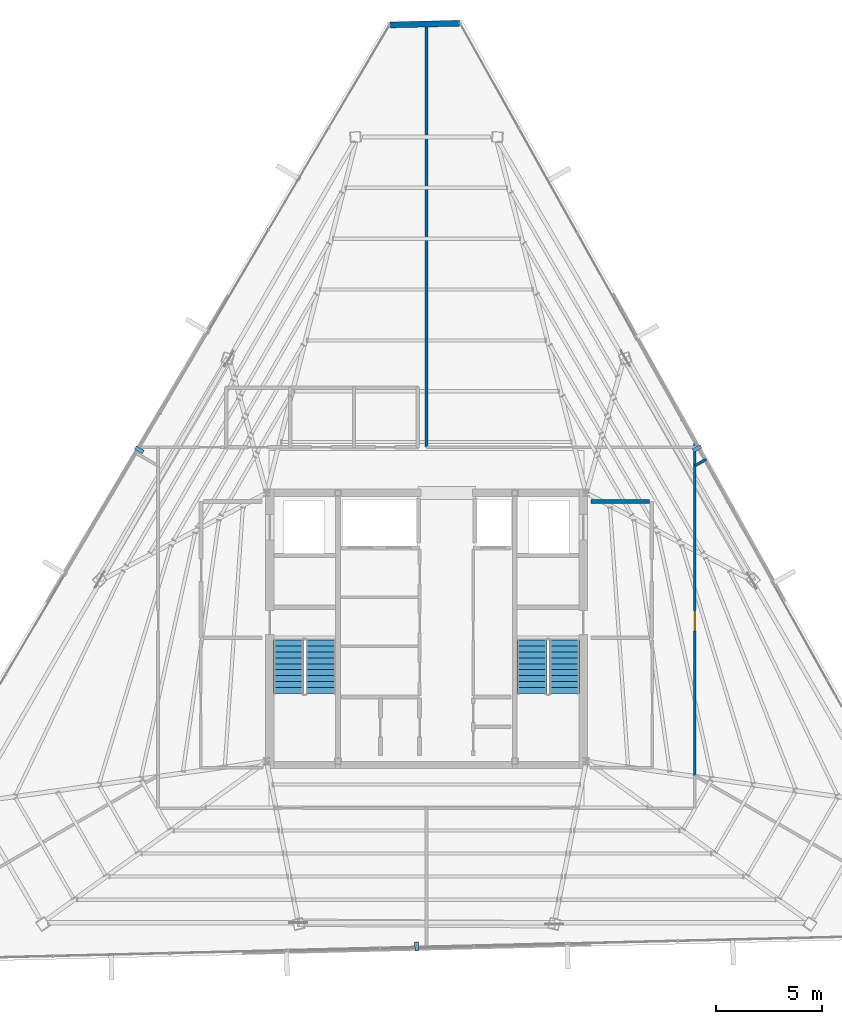
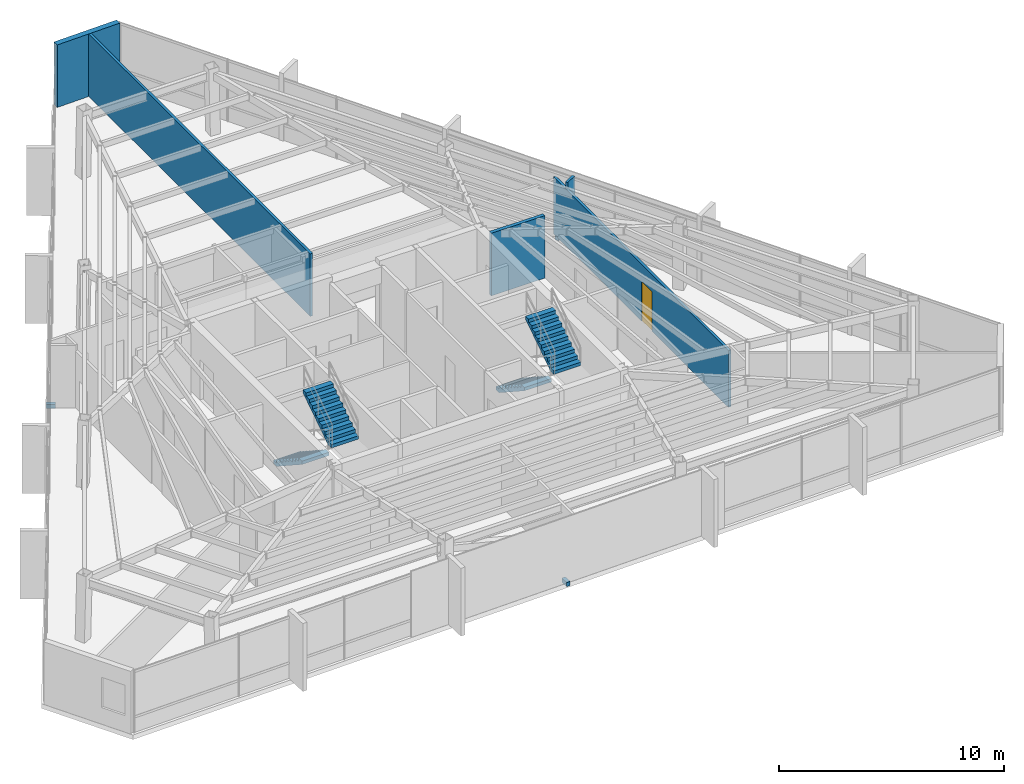
# One storey, part 46 of 48: 5 walls, 4 stair flights, 3 discrete accessories, 1 door, 1 opening, 2 elements without a shape of their own.
"""IFC4 building model written with IfcOpenShell, lengths in metres."""

from ifc_helpers import new_model, si_unit, direction, frame, frame_2d, origin, origin_2d, place, context, subcontext, project, spatial, polyline, rectangle, outline, extrude, source, transform, mapped, material, layer, layer_set, type_object, type_shapes, element, fill, aggregate, save


model = new_model("IFC4")

# Units and contexts
model_context = context("Model", 3, precision=1e-05, world=origin(), true_north=direction((0.0, 1.0)))
body_context = subcontext(model_context, "Body", "Model", "MODEL_VIEW")
ifc_project = project(units=[si_unit("LENGTHUNIT", "METRE"), si_unit("AREAUNIT", "SQUARE_METRE"), si_unit("VOLUMEUNIT", "CUBIC_METRE"), si_unit("PLANEANGLEUNIT", "RADIAN"), si_unit("MASSUNIT", "GRAM", prefix="KILO")], contexts=[model_context])

# Site, building, storey
site_placement = place(None, origin())
site = spatial("IfcSite", under=ifc_project, at=site_placement, CompositionType="ELEMENT")
building_placement = place(site_placement, origin())
building = spatial("IfcBuilding", under=site, at=building_placement, Name="Caelisora Broadcast Tower", CompositionType="ELEMENT")
storey_placement = place(building_placement, frame((0.0, 0.0, 277.300048828125)))
storey = spatial("IfcBuildingStorey", under=building, at=storey_placement, Name="L73", CompositionType="ELEMENT", Elevation=277.300048828125)

# Walls
ifc_material_1 = material(Name="Insulated Terracotta Spandrel Wall System", Category="masonry")
ifc_layer_1 = layer(ifc_material_1, 0.280029296875, Name="Insulated Terracotta Spandrel Wall System")
ifc_layer_set_1 = layer_set([ifc_layer_1], Name="Insulated Terracotta Spandrel Wall System")
wall_type_1 = type_object("IfcWallType", Name="EW1", PredefinedType="STANDARD", material=ifc_layer_set_1)
wall_1_placement = place(storey_placement, frame((36.299072265625, 51.978759765625, 0.0), z_axis=(0.0, 0.0, 1.0), x_axis=(0.999708632751, 0.024138135854, 0.0)))
element("IfcWall", 1, at=wall_1_placement, inside=storey, type_object=wall_type_1, Name="L73 exterior envelope wall EW1", PredefinedType="STANDARD", context=body_context, shape_type="SweptSolid", body=[
    extrude(rectangle(XDim=3.2568359375, YDim=0.280029296875, at=frame_2d((1.62841796875, 0.0))), origin(), (0.0, 0.0, 1.0), 3.39990234375),
])
ifc_material_2 = material(Name="Fire-Rated Gypsum Shaft and Compartment Wall", Category="gypsum")
ifc_layer_2 = layer(ifc_material_2, 0.179931640625, Name="Fire-Rated Gypsum Shaft and Compartment Wall")
ifc_layer_set_2 = layer_set([ifc_layer_2], Name="Fire-Rated Gypsum Shaft and Compartment Wall")
wall_type_2 = type_object("IfcWallType", Name="PW2", PredefinedType="PARTITIONING", material=ifc_layer_set_2)
wall_2_placement = place(storey_placement, frame((45.719970703125, 29.60009765625, 0.0), z_axis=(0.0, 0.0, 1.0), x_axis=(1.0, 0.0, 0.0)))
element("IfcWall", 2, at=wall_2_placement, inside=storey, type_object=wall_type_2, Name="L73 fire compartment wall PW2", PredefinedType="PARTITIONING", context=body_context, shape_type="SweptSolid", body=[
    extrude(rectangle(XDim=2.760009765625, YDim=0.179931640625, at=frame_2d((1.3798828125, 0.0))), origin(), (0.0, 0.0, 1.0), 3.39990234375),
])
ifc_material_3 = material(Name="Acoustic Steel-Stud Plasterboard Partition", Category="gypsum")
ifc_layer_3 = layer(ifc_material_3, 0.1298828125, Name="Acoustic Steel-Stud Plasterboard Partition")
ifc_layer_set_3 = layer_set([ifc_layer_3], Name="Acoustic Steel-Stud Plasterboard Partition")
wall_type_3 = type_object("IfcWallType", Name="PW3", PredefinedType="PARTITIONING", material=ifc_layer_set_3)
wall_3_placement = place(storey_placement, frame((38.0, 32.155029296875, 0.0), z_axis=(0.0, 0.0, 1.0), x_axis=(0.0, 1.0, 0.0)))
element("IfcWall", 3, at=wall_3_placement, inside=storey, type_object=wall_type_3, Name="L73 internal partition PW3", PredefinedType="PARTITIONING", context=body_context, shape_type="SweptSolid", body=[
    extrude(rectangle(XDim=19.86962890625, YDim=0.1298828125, at=frame_2d((9.934814453125, 0.0))), origin(), (0.0, 0.0, 1.0), 3.39990234375),
])

# Wall, opening, door
wall_4_placement = place(storey_placement, frame((50.60009765625, 16.735107421875, 0.0), z_axis=(0.0, 0.0, 1.0), x_axis=(0.0, 1.0, 0.0)))
wall_4 = element("IfcWall", 4, at=wall_4_placement, inside=storey, type_object=wall_type_3, Name="L73 internal partition PW3", PredefinedType="PARTITIONING", context=body_context, shape_type="SweptSolid", body=[
    extrude(rectangle(XDim=15.582275390625, YDim=0.1298828125, at=frame_2d((7.791015625, 0.0))), origin(), (0.0, 0.0, 1.0), 3.0849609375),
])
opening_placement = place(wall_4_placement, frame((6.784912109375, 0.0, 0.0)))
opening = element("IfcOpeningElement", 5, at=opening_placement, cuts=wall_4, Name="Opening D01", PredefinedType="OPENING", context=body_context, shape_type="SweptSolid", body=[
    extrude(rectangle(XDim=0.9599609375, YDim=2.14990234375, at=frame_2d((0.47998046875, 1.074951171875))), frame((0.0, 0.076904296875, 0.0), z_axis=(0.0, -1.0, 0.0), x_axis=(1.0, 0.0, 0.0)), (0.0, 0.0, 1.0), 0.15380859375),
])
ifc_material_4 = material(Name="Solid-Core Timber Acoustic Office Door", Category="wood")
door_type = type_object("IfcDoorType", Name="D01", OperationType="NOTDEFINED", PredefinedType="DOOR", material=ifc_material_4)
door_placement = place(opening_placement, origin())
door = element("IfcDoor", 6, at=door_placement, inside=storey, type_object=door_type, Name="L73 door D01 (L73-DR-P30D1)", OperationType="SINGLE_SWING_LEFT", OverallHeight=2.14990234375, OverallWidth=0.9599609375, PredefinedType="DOOR", context=body_context, shape_type="SweptSolid", body=[
    extrude(rectangle(XDim=0.9599609375, YDim=2.14990234375, at=frame_2d((0.47998046875, 1.074951171875))), frame((0.0, 0.02490234375, 0.0), z_axis=(0.0, -1.0, 0.0), x_axis=(1.0, 0.0, 0.0)), (0.0, 0.0, 1.0), 0.050048828125),
])
fill(opening, door)

# Wall
wall_5_placement = place(storey_placement, frame((50.60400390625, 31.27197265625, 0.0), z_axis=(0.0, 0.0, 1.0), x_axis=(0.866927636176, 0.498434021346, 0.0)))
element("IfcWall", 7, at=wall_5_placement, inside=storey, type_object=wall_type_3, Name="L73 internal partition PW3", PredefinedType="PARTITIONING", context=body_context, shape_type="SweptSolid", body=[
    extrude(rectangle(XDim=0.6181640625, YDim=0.1298828125, at=frame_2d((0.30908203125, 0.0))), origin(), (0.0, 0.0, 1.0), 3.39990234375),
])

# Stair, stair flights
ifc_material_5 = material(Name="Concrete 40 MPa (AS 3600 N40)", Category="concrete")
stair_type_1 = type_object("IfcStairType", Name="ST-1", PredefinedType="HALF_TURN_STAIR", material=ifc_material_5)
stair_1_placement = place(storey_placement, origin())
stair_1 = element("IfcStair", 8, at=stair_1_placement, inside=storey, type_object=stair_type_1, Name="L73 West Fire-Isolated Tower Stair", PredefinedType="HALF_TURN_STAIR")
stair_flight_type = type_object("IfcStairFlightType", Name="STF-4", PredefinedType="STRAIGHT", material=ifc_material_5)
stair_flight_1_placement = place(storey_placement, frame((31.52001953125, 23.10009765625, 0.0), z_axis=(0.0, 0.0, 1.0), x_axis=(0.0, -1.0, 0.0)))
stair_flight_1 = element("IfcStairFlight", 9, at=stair_flight_1_placement, type_object=stair_flight_type, Name="ST-1 flight 1", NumberOfRisers=10, NumberOfTreads=9, PredefinedType="STRAIGHT", RiserHeight=0.1825, TreadLength=0.28, context=body_context, shape_type="SweptSolid", body=[
    extrude(outline(polyline([(0.0, 0.0), (0.0, 0.1826171875), (0.280029296875, 0.1826171875), (0.280029296875, 0.364990234375), (0.56005859375, 0.364990234375), (0.56005859375, 0.547607421875), (0.840087890625, 0.547607421875), (0.840087890625, 0.72998046875), (1.1201171875, 0.72998046875), (1.1201171875, 0.91259765625), (1.39990234375, 0.91259765625), (1.39990234375, 1.094970703125), (1.679931640625, 1.094970703125), (1.679931640625, 1.277587890625), (1.9599609375, 1.277587890625), (1.9599609375, 1.4599609375), (2.239990234375, 1.4599609375), (2.239990234375, 1.642578125), (2.52001953125, 1.642578125), (2.52001953125, 1.824951171875), (2.52001953125, 1.463623046875), (0.2744140625, 0.0), (0.0, 0.0)])), frame((0.0, 0.699951171875, 0.0), z_axis=(0.0, -1.0, 0.0), x_axis=(1.0, 0.0, 0.0)), (0.0, 0.0, 1.0), 1.39990234375),
])
stair_flight_2_placement = place(storey_placement, frame((33.0400390625, 20.580078125, 1.824951171875), z_axis=(0.0, 0.0, 1.0), x_axis=(0.0, 1.0, 0.0)))
stair_flight_2 = element("IfcStairFlight", 10, at=stair_flight_2_placement, type_object=stair_flight_type, Name="ST-1 flight 2", NumberOfRisers=10, NumberOfTreads=9, PredefinedType="STRAIGHT", RiserHeight=0.1825, TreadLength=0.28, context=body_context, shape_type="SweptSolid", body=[
    extrude(outline(polyline([(0.0, 0.0), (0.0, 0.1826171875), (0.280029296875, 0.1826171875), (0.280029296875, 0.364990234375), (0.56005859375, 0.364990234375), (0.56005859375, 0.547607421875), (0.840087890625, 0.547607421875), (0.840087890625, 0.72998046875), (1.1201171875, 0.72998046875), (1.1201171875, 0.91259765625), (1.39990234375, 0.91259765625), (1.39990234375, 1.094970703125), (1.679931640625, 1.094970703125), (1.679931640625, 1.277587890625), (1.9599609375, 1.277587890625), (1.9599609375, 1.4599609375), (2.239990234375, 1.4599609375), (2.239990234375, 1.642578125), (2.52001953125, 1.642578125), (2.52001953125, 1.824951171875), (2.52001953125, 1.463623046875), (0.2744140625, 0.0), (0.0, 0.0)])), frame((0.0, 0.699951171875, 0.0), z_axis=(0.0, -1.0, 0.0), x_axis=(1.0, 0.0, 0.0)), (0.0, 0.0, 1.0), 1.39990234375),
])
aggregate(stair_1, [stair_flight_1, stair_flight_2])

stair_type_2 = type_object("IfcStairType", Name="ST-2", PredefinedType="HALF_TURN_STAIR", material=ifc_material_5)
stair_2_placement = place(storey_placement, origin())
stair_2 = element("IfcStair", 11, at=stair_2_placement, inside=storey, type_object=stair_type_2, Name="L73 East Fire-Isolated Tower Stair", PredefinedType="HALF_TURN_STAIR")
stair_flight_3_placement = place(storey_placement, frame((42.9599609375, 23.10009765625, 0.0), z_axis=(0.0, 0.0, 1.0), x_axis=(0.0, -1.0, 0.0)))
stair_flight_3 = element("IfcStairFlight", 12, at=stair_flight_3_placement, type_object=stair_flight_type, Name="ST-2 flight 1", NumberOfRisers=10, NumberOfTreads=9, PredefinedType="STRAIGHT", RiserHeight=0.1825, TreadLength=0.28, context=body_context, shape_type="SweptSolid", body=[
    extrude(outline(polyline([(0.0, 0.0), (0.0, 0.1826171875), (0.280029296875, 0.1826171875), (0.280029296875, 0.364990234375), (0.56005859375, 0.364990234375), (0.56005859375, 0.547607421875), (0.840087890625, 0.547607421875), (0.840087890625, 0.72998046875), (1.1201171875, 0.72998046875), (1.1201171875, 0.91259765625), (1.39990234375, 0.91259765625), (1.39990234375, 1.094970703125), (1.679931640625, 1.094970703125), (1.679931640625, 1.277587890625), (1.9599609375, 1.277587890625), (1.9599609375, 1.4599609375), (2.239990234375, 1.4599609375), (2.239990234375, 1.642578125), (2.52001953125, 1.642578125), (2.52001953125, 1.824951171875), (2.52001953125, 1.463623046875), (0.2744140625, 0.0), (0.0, 0.0)])), frame((0.0, 0.699951171875, 0.0), z_axis=(0.0, -1.0, 0.0), x_axis=(1.0, 0.0, 0.0)), (0.0, 0.0, 1.0), 1.39990234375),
])
stair_flight_4_placement = place(storey_placement, frame((44.47998046875, 20.580078125, 1.824951171875), z_axis=(0.0, 0.0, 1.0), x_axis=(0.0, 1.0, 0.0)))
stair_flight_4 = element("IfcStairFlight", 13, at=stair_flight_4_placement, type_object=stair_flight_type, Name="ST-2 flight 2", NumberOfRisers=10, NumberOfTreads=9, PredefinedType="STRAIGHT", RiserHeight=0.1825, TreadLength=0.28, context=body_context, shape_type="SweptSolid", body=[
    extrude(outline(polyline([(0.0, 0.0), (0.0, 0.1826171875), (0.280029296875, 0.1826171875), (0.280029296875, 0.364990234375), (0.56005859375, 0.364990234375), (0.56005859375, 0.547607421875), (0.840087890625, 0.547607421875), (0.840087890625, 0.72998046875), (1.1201171875, 0.72998046875), (1.1201171875, 0.91259765625), (1.39990234375, 0.91259765625), (1.39990234375, 1.094970703125), (1.679931640625, 1.094970703125), (1.679931640625, 1.277587890625), (1.9599609375, 1.277587890625), (1.9599609375, 1.4599609375), (2.239990234375, 1.4599609375), (2.239990234375, 1.642578125), (2.52001953125, 1.642578125), (2.52001953125, 1.824951171875), (2.52001953125, 1.463623046875), (0.2744140625, 0.0), (0.0, 0.0)])), frame((0.0, 0.699951171875, 0.0), z_axis=(0.0, -1.0, 0.0), x_axis=(1.0, 0.0, 0.0)), (0.0, 0.0, 1.0), 1.39990234375),
])
aggregate(stair_2, [stair_flight_3, stair_flight_4])

# Discrete accessories
ifc_material_6 = material(Name="Steel Grade 350 (AS/NZS 3679.1)", Category="steel")
discrete_accessory_type = type_object("IfcDiscreteAccessoryType", Name="BRK-1", PredefinedType="BRACKET", material=ifc_material_6)
shared_shape = source(origin(), body_context, "Body", "SweptSolid", [
    extrude(rectangle(XDim=0.179931640625, YDim=0.419921875, at=origin_2d()), origin(), (0.0, 0.0, 1.0), 0.219970703125),
])
type_shapes(discrete_accessory_type, [shared_shape])
for number, where, z_axis, x_axis, name in (
    (14, (24.51708984375, 32.0263671875, -0.16015625), (0.0, 0.0, 1.0), (-0.508590662521, -0.861008442465, 0.0), "L73 solar screen outrigger bracket #1"),
    (15, (37.541015625, 8.6943359375, -0.16015625), (0.0, 0.0, 1.0), (0.999705738774, 0.024257696956, 0.0), "L73 solar screen outrigger bracket #2"),
    (16, (50.704833984375, 32.088134765625, -0.16015625), (0.0, 0.0, 1.0), (-0.487707298065, 0.873007211547, 0.0), "L73 solar screen outrigger bracket #3"),
):
    element("IfcDiscreteAccessory", number, at=place(storey_placement, frame(where, z_axis=z_axis, x_axis=x_axis)), inside=storey, type_object=discrete_accessory_type, Name=name, PredefinedType="BRACKET", context=body_context, shape_type="MappedRepresentation", body=[
        mapped(shared_shape, transform((0.0, 0.0, 0.0), scale=1.0)),
    ])

save(model, "model.ifc")
